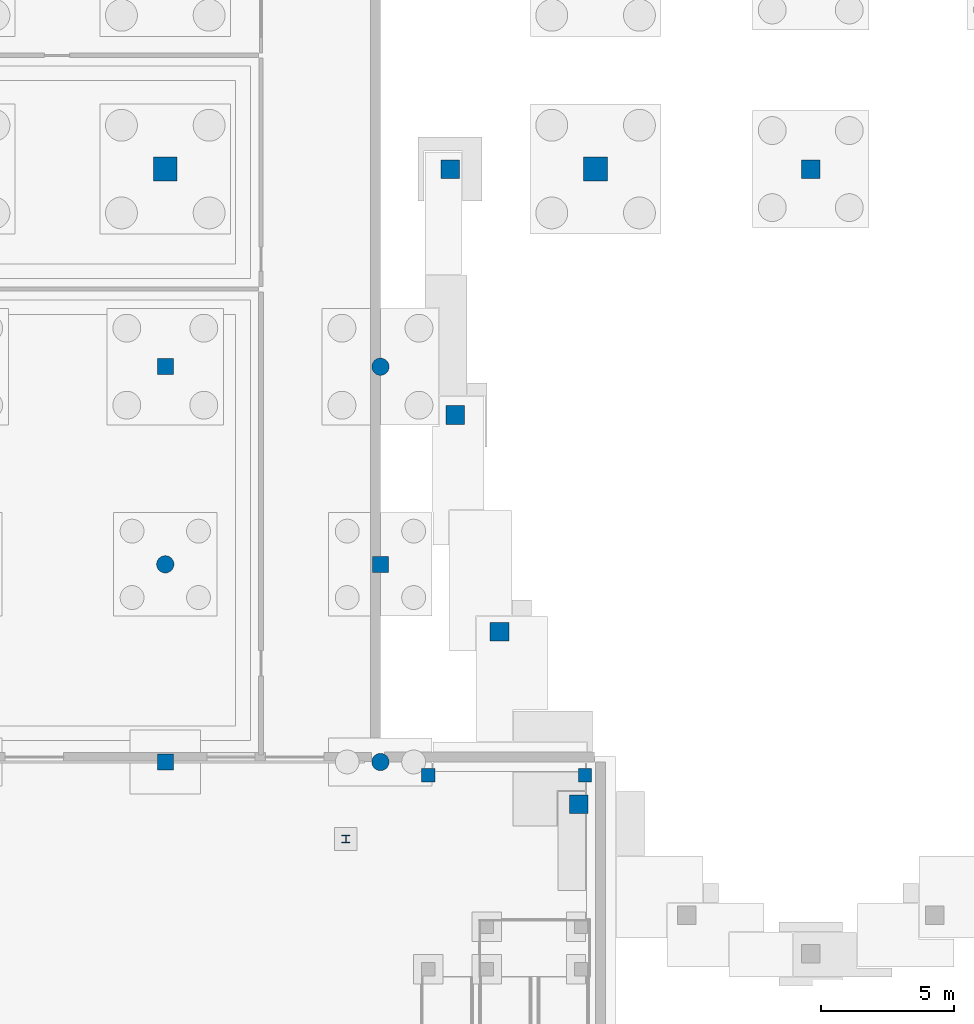
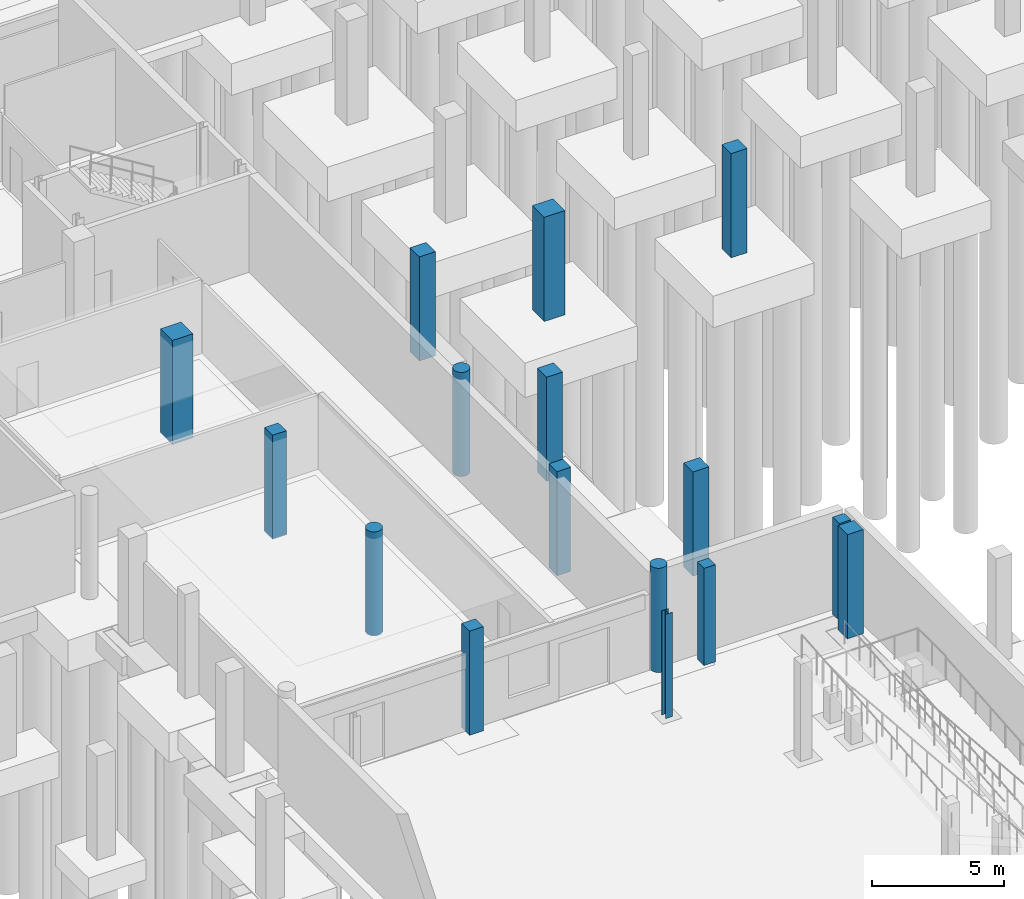
# One storey, part 16 of 37: 16 columns.
"""IFC4 building model written with IfcOpenShell, lengths in metres."""

import ifcopenshell
import ifcopenshell.guid

model = None  # the IFC model being written
_history = None  # IfcOwnerHistory: only IFC2X3 demands one
_inside = {}  # id of a spatial element -> (the spatial element, [elements in it])
_under = {}  # id of a project, library or spatial element -> (it, [spatial elements below it])
_declared = {}  # id of a project -> (the project, [libraries it declares])
_typed = {}  # id of a type object -> (the type object, [elements of that type])
_made_of = {}  # id of a material, layer set ... -> (it, [elements and type objects made of it])


def new_model(schema):
    """Start an empty IFC model of exactly this schema.

    Asked for "IFC4X3", IfcOpenShell would pick the latest addendum, in which some entities
    have other attributes; the version numbers below select the first issue.
    IFC2X3 requires an IfcOwnerHistory on every rooted entity: one is made here for all.
    """
    global model, _history
    if schema == "IFC4X3":
        model = ifcopenshell.file(schema_version=(4, 3, 0, 0))
    else:
        model = ifcopenshell.file(schema=schema)
    _inside.clear()
    _under.clear()
    _declared.clear()
    _typed.clear()
    _made_of.clear()
    _history = None
    if model.schema == "IFC2X3":
        org = make("IfcOrganization", Name="unknown")
        user = make(
            "IfcPersonAndOrganization",
            ThePerson=make("IfcPerson", FamilyName="unknown"),
            TheOrganization=org,
        )
        app = make(
            "IfcApplication",
            ApplicationDeveloper=org,
            Version="unknown",
            ApplicationFullName="unknown",
            ApplicationIdentifier="unknown",
        )
        _history = make(
            "IfcOwnerHistory",
            OwningUser=user,
            OwningApplication=app,
            ChangeAction="ADDED",
            CreationDate=0,
        )
    return model


def make(cls, **values):
    """One entity of the class cls with the attributes given. An attribute that is None is left unset."""
    return model.create_entity(
        cls, **{name: value for name, value in values.items() if value is not None}
    )


def rooted(cls, **values):
    """An entity with a GlobalId (a new one), such as an element, a storey or a relation."""
    return make(cls, GlobalId=ifcopenshell.guid.new(), OwnerHistory=_history, **values)


def si_unit(unit_type, name, prefix=None):
    """IfcSIUnit, for example si_unit("LENGTHUNIT", "METRE", prefix="MILLI")."""
    return make("IfcSIUnit", UnitType=unit_type, Prefix=prefix, Name=name)


def assignment(units):
    """IfcUnitAssignment: the units of a project."""
    return None if units is None else make("IfcUnitAssignment", Units=units)


def point(xyz):
    """IfcCartesianPoint."""
    return None if xyz is None else make("IfcCartesianPoint", Coordinates=xyz)


def direction(xyz):
    """IfcDirection."""
    return None if xyz is None else make("IfcDirection", DirectionRatios=xyz)


def frame(location, z_axis=None, x_axis=None):
    """IfcAxis2Placement3D, a coordinate frame: its origin and axes. An axis left out is left unset."""
    return make(
        "IfcAxis2Placement3D",
        Location=point(location),
        Axis=direction(z_axis),
        RefDirection=direction(x_axis),
    )


def frame_2d(location, x_axis=None):
    """IfcAxis2Placement2D, a coordinate frame in the plane: its origin and x axis."""
    return make(
        "IfcAxis2Placement2D", Location=point(location), RefDirection=direction(x_axis)
    )


def origin():
    """The frame at (0, 0, 0) with its axes left unset."""
    return frame((0.0, 0.0, 0.0))


def origin_2d():
    """The frame at (0, 0) in the plane with its x axis left unset."""
    return frame_2d((0.0, 0.0))


def place(relative_to, where):
    """IfcLocalPlacement: puts the frame where relative to a parent placement (None: the world)."""
    return make(
        "IfcLocalPlacement", PlacementRelTo=relative_to, RelativePlacement=where
    )


def context(
    kind, dimensions, precision=None, world=None, true_north=None, identifier=None
):
    """IfcGeometricRepresentationContext, for example the 3D "Model" context."""
    return make(
        "IfcGeometricRepresentationContext",
        ContextIdentifier=identifier,
        ContextType=kind,
        CoordinateSpaceDimension=dimensions,
        Precision=precision,
        WorldCoordinateSystem=world,
        TrueNorth=true_north,
    )


def subcontext(parent, identifier, kind, view, scale=None):
    """IfcGeometricRepresentationSubContext, for example "Body" below "Model"."""
    return make(
        "IfcGeometricRepresentationSubContext",
        ContextIdentifier=identifier,
        ContextType=kind,
        ParentContext=parent,
        TargetScale=scale,
        TargetView=view,
    )


def project(units=None, contexts=None):
    """IfcProject with its units and contexts."""
    return rooted(
        "IfcProject",
        Name="project",
        RepresentationContexts=contexts,
        UnitsInContext=assignment(units),
    )


def spatial(cls, under=None, at=None, **own):
    """A site, building, storey or space (cls), placed at a placement, below another one or the project."""
    s = rooted(cls, ObjectPlacement=at, **own)
    if under is not None:
        _under.setdefault(under.id(), (under, []))[1].append(s)
    return s


def profile(cls, at=None, kind="AREA", **sizes):
    """A parametric profile (cls). Its sizes go by their IFC names, for example OverallWidth=200.0."""
    return make(cls, ProfileType=kind, Position=at, **sizes)


def rectangle(**sizes):
    """IfcRectangleProfileDef."""
    return profile("IfcRectangleProfileDef", **sizes)


def circle(**sizes):
    """IfcCircleProfileDef."""
    return profile("IfcCircleProfileDef", **sizes)


def i_section(**sizes):
    """IfcIShapeProfileDef."""
    return profile("IfcIShapeProfileDef", **sizes)


def extrude(swept, where, along, depth):
    """IfcExtrudedAreaSolid: the profile swept, set in the frame where, extruded along a direction by depth."""
    return make(
        "IfcExtrudedAreaSolid",
        SweptArea=swept,
        Position=where,
        ExtrudedDirection=direction(along),
        Depth=depth,
    )


def shape(context_of_items, identifier, shape_type, items):
    """IfcShapeRepresentation: the items that make up one representation, for example the "Body"."""
    return make(
        "IfcShapeRepresentation",
        ContextOfItems=context_of_items,
        RepresentationIdentifier=identifier,
        RepresentationType=shape_type,
        Items=items,
    )


def material(Name=None, Category=None):
    """IfcMaterial."""
    return make("IfcMaterial", Name=Name, Category=Category)


def material_profile(
    of_material, cross_section, Name=None, Category=None, Priority=None
):
    """IfcMaterialProfile: a cross section and its material."""
    return make(
        "IfcMaterialProfile",
        Name=Name,
        Material=of_material,
        Profile=cross_section,
        Priority=Priority,
        Category=Category,
    )


def profile_set(profiles, Name=None, composite=None):
    """IfcMaterialProfileSet."""
    return make(
        "IfcMaterialProfileSet",
        Name=Name,
        MaterialProfiles=profiles,
        CompositeProfile=composite,
    )


def made_of(thing, what):
    """Note that an element or type object is made of a material, layer set ...; save() writes the relation."""
    if what is not None:
        _made_of.setdefault(what.id(), (what, []))[1].append(thing)
    return thing


def type_object(cls, material=None, **own):
    """A type object (cls), such as IfcWallType, which elements share."""
    return made_of(rooted(cls, **own), material)


def element(
    cls,
    number,
    at=None,
    inside=None,
    cuts=None,
    type_object=None,
    material=None,
    context=None,
    identifier="Body",
    shape_type=None,
    held_by="IfcProductDefinitionShape",
    body=None,
    shapes=None,
    **own,
):
    """One element of the class cls, such as IfcWall. Its Tag is "e" and its number.

    at: its placement. inside: the storey or other place that contains it. cuts: it is an
    opening in that element (IfcRelVoidsElement). A single representation is given by context,
    identifier, shape_type and body (its items); several are given by shapes. held_by: the class
    of the entity that holds the representations. save() writes the other relations.
    """
    e = rooted(cls, Tag="e%d" % number, ObjectPlacement=at, **own)
    if body is not None:
        shapes = [shape(context, identifier, shape_type, body)]
    if shapes is not None:
        e.Representation = make(held_by, Representations=shapes)
    if inside is not None:
        _inside.setdefault(inside.id(), (inside, []))[1].append(e)
    if cuts is not None:
        rooted(
            "IfcRelVoidsElement", RelatingBuildingElement=cuts, RelatedOpeningElement=e
        )
    if type_object is not None:
        _typed.setdefault(type_object.id(), (type_object, []))[1].append(e)
    return made_of(e, material)


def aggregate(whole, parts):
    """IfcRelAggregates: a whole, such as a stair, and the parts it consists of."""
    return rooted("IfcRelAggregates", RelatingObject=whole, RelatedObjects=parts)


def save(model, path):
    """Write the relations noted so far, then the file.

    IfcRelAggregates (storeys below a building ...), IfcRelContainedInSpatialStructure (elements
    in a storey), IfcRelDefinesByType, IfcRelAssociatesMaterial and IfcRelDeclares: one each for
    every whole, place, type object, material and project.
    """
    for whole, parts in _under.values():
        aggregate(whole, parts)
    for where, things in _inside.values():
        rooted(
            "IfcRelContainedInSpatialStructure",
            RelatedElements=things,
            RelatingStructure=where,
        )
    for kind, things in _typed.values():
        rooted("IfcRelDefinesByType", RelatedObjects=things, RelatingType=kind)
    for what, things in _made_of.values():
        rooted("IfcRelAssociatesMaterial", RelatedObjects=things, RelatingMaterial=what)
    for by, libraries in _declared.values():
        rooted("IfcRelDeclares", RelatingContext=by, RelatedDefinitions=libraries)
    model.write(path)


model = new_model("IFC4")

# Units and contexts
model_context = context("Model", 3, precision=1e-05, world=origin(), true_north=direction((0.0, 1.0)))
body_context = subcontext(model_context, "Body", "Model", "MODEL_VIEW")
ifc_project = project(units=[si_unit("LENGTHUNIT", "METRE"), si_unit("AREAUNIT", "SQUARE_METRE"), si_unit("VOLUMEUNIT", "CUBIC_METRE"), si_unit("PLANEANGLEUNIT", "RADIAN"), si_unit("MASSUNIT", "GRAM", prefix="KILO")], contexts=[model_context])

# Site, building, storey
site_placement = place(None, origin())
site = spatial("IfcSite", under=ifc_project, at=site_placement, CompositionType="ELEMENT")
building_placement = place(site_placement, origin())
building = spatial("IfcBuilding", under=site, at=building_placement, Name="Kaelora Sail Theatre", CompositionType="ELEMENT")
storey_placement = place(building_placement, frame((0.0, 0.0, -4.800048828125)))
storey = spatial("IfcBuildingStorey", under=building, at=storey_placement, Name="B1", CompositionType="ELEMENT", Elevation=-4.800048828125)

# Columns
ifc_material_1 = material(Name="Steel S355", Category="steel")
ifc_material_profile_1 = material_profile(ifc_material_1, i_section(OverallWidth=0.300048828125, OverallDepth=0.2900390625, WebThickness=0.008544921875, FlangeThickness=0.013916015625, FilletRadius=0.027099609375, at=origin_2d()), Name="HEA 300")
ifc_profile_set_1 = profile_set([ifc_material_profile_1], Name="Steel S355")
column_type_1 = type_object("IfcColumnType", Name="STR-COL-C-HEA300", PredefinedType="COLUMN", material=ifc_profile_set_1)
column_placement = place(storey_placement, frame((73.10009765625, 35.800048828125, 0.0), z_axis=(0.0, 0.0, 1.0), x_axis=(1.0, 0.0, 0.0)))
element("IfcColumn", 1, at=column_placement, inside=storey, type_object=column_type_1, Name="Entrance canopy substructure pier E", PredefinedType="COLUMN", context=body_context, shape_type="SweptSolid", body=[
    extrude(i_section(OverallWidth=0.300048828125, OverallDepth=0.2900390625, WebThickness=0.008544921875, FlangeThickness=0.013916015625, FilletRadius=0.027099609375, at=origin_2d()), origin(), (0.0, 0.0, 1.0), 4.800048828125),
])
ifc_material_2 = material(Name="Concrete C40/50", Category="concrete")
ifc_material_profile_2 = material_profile(ifc_material_2, rectangle(XDim=0.5, YDim=0.5, at=origin_2d()), Name="RC-COL 500x500")
ifc_profile_set_2 = profile_set([ifc_material_profile_2], Name="Concrete C40/50")
column_type_2 = type_object("IfcColumnType", Name="STR-COL-C-RC500", PredefinedType="COLUMN", material=ifc_profile_set_2)
for number, where, z_axis, x_axis, name in (
    (2, (76.199951171875, 38.199951171875, 0.0), (0.0, 0.0, 1.0), (1.0, 0.0, 0.0), "Accessible plaza ramp pier RL3-W2"),
    (3, (82.10009765625, 38.199951171875, 0.0), (0.0, 0.0, 1.0), (1.0, 0.0, 0.0), "Accessible plaza ramp pier RL3-E2"),
):
    element("IfcColumn", number, at=place(storey_placement, frame(where, z_axis=z_axis, x_axis=x_axis)), inside=storey, type_object=column_type_2, Name=name, PredefinedType="COLUMN", context=body_context, shape_type="SweptSolid", body=[
        extrude(rectangle(XDim=0.5, YDim=0.5, at=origin_2d()), origin(), (0.0, 0.0, 1.0), 4.47998046875),
    ])
ifc_material_3 = material(Name="Concrete C40/50", Category="concrete")
ifc_material_profile_3 = material_profile(ifc_material_3, rectangle(XDim=0.60009765625, YDim=0.60009765625, at=origin_2d()), Name="RC-COL 600x600")
ifc_profile_set_3 = profile_set([ifc_material_profile_3], Name="Concrete C40/50")
column_type_3 = type_object("IfcColumnType", Name="STR-COL-C-RC600", PredefinedType="COLUMN", material=ifc_profile_set_3)
for number, where, z_axis, x_axis, name in (
    (4, (66.300048828125, 38.699951171875, 0.0), (0.0, 0.0, 1.0), (1.0, 0.0, 0.0), "Column 9/F (B1)"),
    (5, (66.300048828125, 53.580078125, 0.0), (0.0, 0.0, 1.0), (1.0, 0.0, 0.0), "Column 9/H (B1)"),
    (6, (74.39990234375, 46.139892578125, 0.0), (0.0, 0.0, 1.0), (1.0, 0.0, 0.0), "Column 10/G (B1)"),
):
    element("IfcColumn", number, at=place(storey_placement, frame(where, z_axis=z_axis, x_axis=x_axis)), inside=storey, type_object=column_type_3, Name=name, PredefinedType="COLUMN", context=body_context, shape_type="SweptSolid", body=[
        extrude(rectangle(XDim=0.60009765625, YDim=0.60009765625, at=origin_2d()), origin(), (0.0, 0.0, 1.0), 4.800048828125),
    ])
ifc_material_4 = material(Name="Concrete C45/55", Category="concrete")
ifc_material_profile_4 = material_profile(ifc_material_4, rectangle(XDim=0.699951171875, YDim=0.699951171875, at=origin_2d()), Name="RC-COL 700x700")
ifc_profile_set_4 = profile_set([ifc_material_profile_4], Name="Concrete C45/55")
column_type_4 = type_object("IfcColumnType", Name="STR-COL-C-RC700", PredefinedType="COLUMN", material=ifc_profile_set_4)
for number, where, z_axis, x_axis, name in (
    (7, (90.60009765625, 61.02001953125, 0.0), (0.0, 0.0, 1.0), (1.0, 0.0, 0.0), "Column 12/I (B1)"),
    (8, (77.02001953125, 61.02001953125, 0.0), (0.0, 0.0, 1.0), (1.0, 0.0, 0.0), "Studio Theatre north corner column NW (B1)"),
    (9, (81.865478515625, 37.115234375, 0.0), (0.0, 0.0, 1.0), (1.0, 0.0, 0.0), "Studio Theatre drum column K14 (B1)"),
    (10, (78.880615234375, 43.604736328125, 0.0), (0.0, 0.0, 1.0), (1.0, 0.0, 0.0), "Studio Theatre drum column K16 (B1)"),
    (11, (77.217041015625, 51.76416015625, 0.0), (0.0, 0.0, 1.0), (1.0, 0.0, 0.0), "Studio Theatre drum column K18 (B1)"),
):
    element("IfcColumn", number, at=place(storey_placement, frame(where, z_axis=z_axis, x_axis=x_axis)), inside=storey, type_object=column_type_4, Name=name, PredefinedType="COLUMN", context=body_context, shape_type="SweptSolid", body=[
        extrude(rectangle(XDim=0.699951171875, YDim=0.699951171875, at=origin_2d()), origin(), (0.0, 0.0, 1.0), 4.800048828125),
    ])
ifc_material_5 = material(Name="Concrete C50/60", Category="concrete")
ifc_material_profile_5 = material_profile(ifc_material_5, rectangle(XDim=0.89990234375, YDim=0.89990234375, at=origin_2d()), Name="RC-COL 900x900")
ifc_profile_set_5 = profile_set([ifc_material_profile_5], Name="Concrete C50/60")
column_type_5 = type_object("IfcColumnType", Name="STR-COL-C-RC900", PredefinedType="COLUMN", material=ifc_profile_set_5)
for number, where, z_axis, x_axis, name in (
    (12, (66.300048828125, 61.02001953125, 0.0), (0.0, 0.0, 1.0), (1.0, 0.0, 0.0), "Column 9/I (B1)"),
    (13, (82.5, 61.02001953125, 0.0), (0.0, 0.0, 1.0), (1.0, 0.0, 0.0), "Column 11/I (B1)"),
):
    element("IfcColumn", number, at=place(storey_placement, frame(where, z_axis=z_axis, x_axis=x_axis)), inside=storey, type_object=column_type_5, Name=name, PredefinedType="COLUMN", context=body_context, shape_type="SweptSolid", body=[
        extrude(rectangle(XDim=0.89990234375, YDim=0.89990234375, at=origin_2d()), origin(), (0.0, 0.0, 1.0), 4.800048828125),
    ])
ifc_material_6 = material(Name="Concrete C45/55", Category="concrete")
ifc_material_profile_6 = material_profile(ifc_material_6, circle(Radius=0.324951171875, at=origin_2d()), Name="RC-CCOL D650")
ifc_profile_set_6 = profile_set([ifc_material_profile_6], Name="Concrete C45/55")
column_type_6 = type_object("IfcColumnType", Name="STR-COL-C-RCD650", PredefinedType="COLUMN", material=ifc_profile_set_6)
for number, where, z_axis, x_axis, name in (
    (14, (66.300048828125, 46.139892578125, 0.0), (0.0, 0.0, 1.0), (1.0, 0.0, 0.0), "Column 9/G (B1)"),
    (15, (74.39990234375, 38.699951171875, 0.0), (0.0, 0.0, 1.0), (1.0, 0.0, 0.0), "Column 10/F (B1)"),
    (16, (74.39990234375, 53.580078125, 0.0), (0.0, 0.0, 1.0), (1.0, 0.0, 0.0), "Column 10/H (B1)"),
):
    element("IfcColumn", number, at=place(storey_placement, frame(where, z_axis=z_axis, x_axis=x_axis)), inside=storey, type_object=column_type_6, Name=name, PredefinedType="COLUMN", context=body_context, shape_type="SweptSolid", body=[
        extrude(circle(Radius=0.324951171875, at=origin_2d()), origin(), (0.0, 0.0, 1.0), 4.800048828125),
    ])

save(model, "model.ifc")
